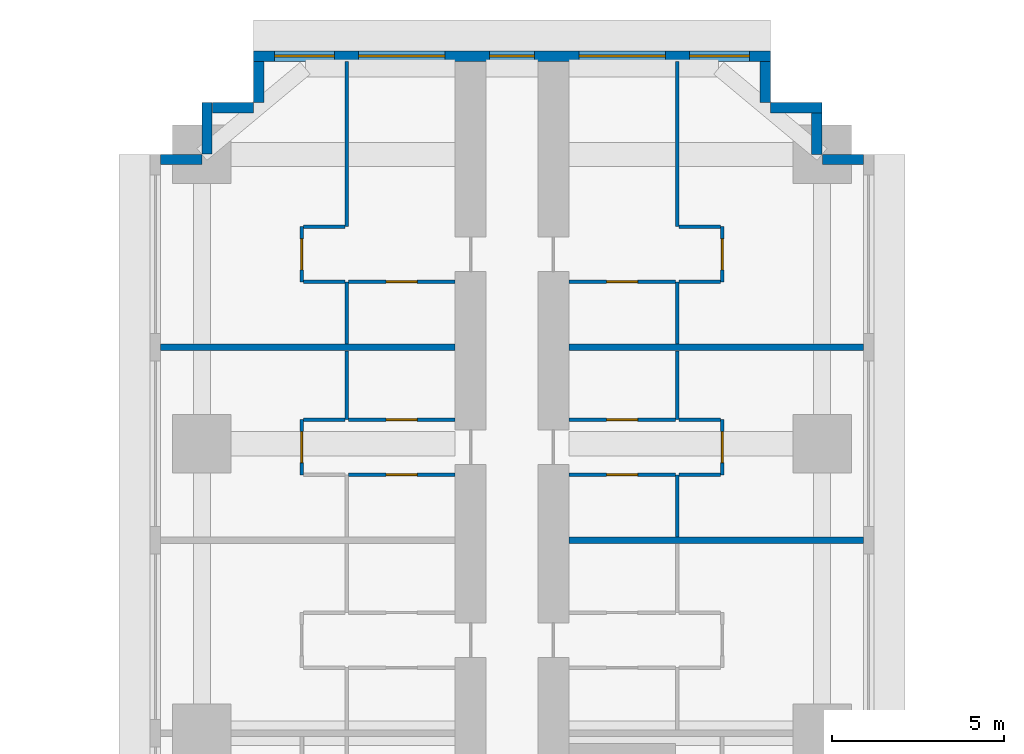
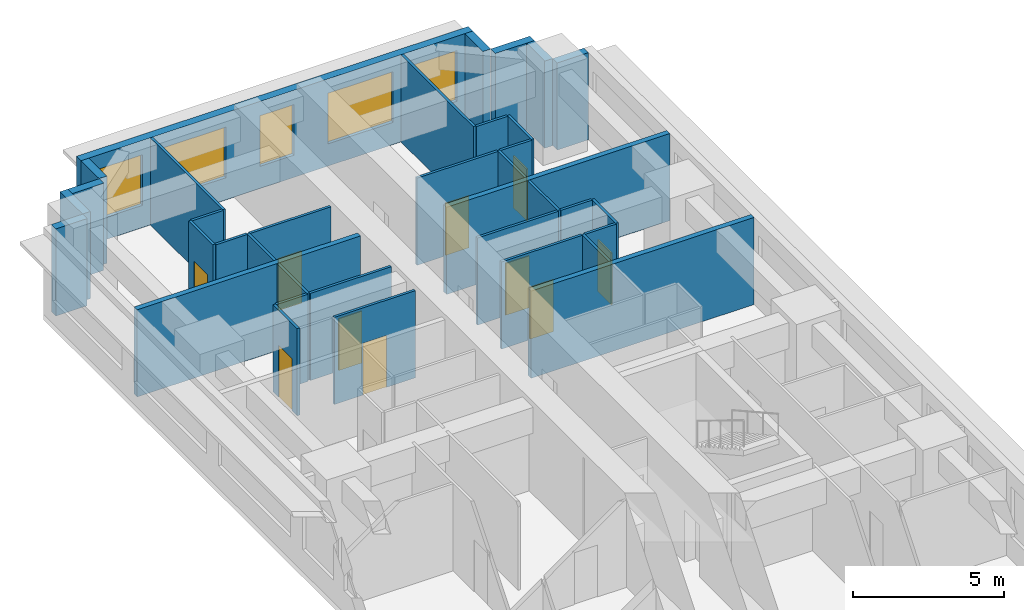
# One storey, part 14 of 16: 36 walls, 10 doors, 5 windows, 15 openings.
"""IFC4 building model written with IfcOpenShell, lengths in metres."""

from ifc_helpers import new_model, si_unit, direction, frame, frame_2d, origin, place, context, subcontext, project, spatial, rectangle, extrude, material, layer, layer_set, type_object, element, fill, save


model = new_model("IFC4")

# Units and contexts
model_context = context("Model", 3, precision=1e-05, world=origin(), true_north=direction((0.0, 1.0)))
body_context = subcontext(model_context, "Body", "Model", "MODEL_VIEW")
ifc_project = project(units=[si_unit("LENGTHUNIT", "METRE"), si_unit("AREAUNIT", "SQUARE_METRE"), si_unit("VOLUMEUNIT", "CUBIC_METRE"), si_unit("PLANEANGLEUNIT", "RADIAN"), si_unit("MASSUNIT", "GRAM", prefix="KILO")], contexts=[model_context])

# Site, building, storey
site_placement = place(None, origin())
site = spatial("IfcSite", under=ifc_project, at=site_placement, CompositionType="ELEMENT")
building_placement = place(site_placement, origin())
building = spatial("IfcBuilding", under=site, at=building_placement, Name="Impinga Residences", CompositionType="ELEMENT")
storey_placement = place(building_placement, frame((0.0, 0.0, 44.75)))
storey = spatial("IfcBuildingStorey", under=building, at=storey_placement, Name="L10", CompositionType="ELEMENT", Elevation=44.75)

# Walls
ifc_material_1 = material(Name="Terracotta rainscreen on blockwork", Category="masonry")
ifc_layer_1 = layer(ifc_material_1, 0.300048828125)
ifc_layer_set_1 = layer_set([ifc_layer_1], Name="EW1 external wall, terracotta rainscreen on blockwork 300")
wall_type_1 = type_object("IfcWallType", Name="EW1 external wall, terracotta rainscreen on blockwork 300", PredefinedType="SOLIDWALL", material=ifc_layer_set_1)
wall_1_placement = place(storey_placement, frame((-10.199951171875, 44.881591796875, 0.0), z_axis=(0.0, 0.0, 1.0), x_axis=(1.0, 0.0, 0.0)))
element("IfcWall", 1, at=wall_1_placement, inside=storey, type_object=wall_type_1, Name="External wall EW1 L10", PredefinedType="SOLIDWALL", context=body_context, shape_type="SweptSolid", body=[
    extrude(rectangle(XDim=1.199951171875, YDim=0.300048828125, at=frame_2d((0.60009765625, 0.0))), origin(), (0.0, 0.0, 1.0), 3.530029296875),
])
wall_2_placement = place(storey_placement, frame((-8.85009765625, 45.03662109375, 0.0), z_axis=(0.0, 0.0, 1.0), x_axis=(0.0, 1.0, 0.0)))
element("IfcWall", 2, at=wall_2_placement, inside=storey, type_object=wall_type_1, Name="External wall EW1 L10", PredefinedType="SOLIDWALL", context=body_context, shape_type="SweptSolid", body=[
    extrude(rectangle(XDim=1.494873046875, YDim=0.300048828125, at=frame_2d((0.74755859375, 0.0))), origin(), (0.0, 0.0, 1.0), 3.530029296875),
])
wall_3_placement = place(storey_placement, frame((-8.699951171875, 46.381591796875, 0.0), z_axis=(0.0, 0.0, 1.0), x_axis=(1.0, 0.0, 0.0)))
element("IfcWall", 3, at=wall_3_placement, inside=storey, type_object=wall_type_1, Name="External wall EW1 L10", PredefinedType="SOLIDWALL", context=body_context, shape_type="SweptSolid", body=[
    extrude(rectangle(XDim=1.199951171875, YDim=0.300048828125, at=frame_2d((0.60009765625, 0.0))), origin(), (0.0, 0.0, 1.0), 3.530029296875),
])
wall_4_placement = place(storey_placement, frame((-7.35009765625, 46.53662109375, 0.0), z_axis=(0.0, 0.0, 1.0), x_axis=(0.0, 1.0, 0.0)))
element("IfcWall", 4, at=wall_4_placement, inside=storey, type_object=wall_type_1, Name="External wall EW1 L10", PredefinedType="SOLIDWALL", context=body_context, shape_type="SweptSolid", body=[
    extrude(rectangle(XDim=1.19482421875, YDim=0.300048828125, at=frame_2d((0.597412109375, 0.0))), origin(), (0.0, 0.0, 1.0), 3.530029296875),
])

# Wall, openings, windows
wall_5_placement = place(storey_placement, frame((-7.5, 47.881591796875, 0.0), z_axis=(0.0, 0.0, 1.0), x_axis=(1.0, 0.0, 0.0)))
wall_5 = element("IfcWall", 5, at=wall_5_placement, inside=storey, type_object=wall_type_1, Name="External wall EW1 L10", PredefinedType="SOLIDWALL", context=body_context, shape_type="SweptSolid", body=[
    extrude(rectangle(XDim=15.0, YDim=0.300048828125, at=frame_2d((7.5, 0.0))), origin(), (0.0, 0.0, 1.0), 3.530029296875),
])
opening_1_placement = place(wall_5_placement, frame((0.60009765625, 0.0, 0.89990234375)))
opening_1 = element("IfcOpeningElement", 6, at=opening_1_placement, cuts=wall_5, Name="Opening W1", PredefinedType="OPENING", context=body_context, shape_type="SweptSolid", body=[
    extrude(rectangle(XDim=1.75, YDim=2.050048828125, at=frame_2d((0.875, 1.02490234375))), frame((0.0, 0.159912109375, 0.0), z_axis=(0.0, -1.0, 0.0), x_axis=(1.0, 0.0, 0.0)), (0.0, 0.0, 1.0), 0.320068359375),
])
opening_2_placement = place(wall_5_placement, frame((3.050048828125, 0.0, 0.89990234375)))
opening_2 = element("IfcOpeningElement", 7, at=opening_2_placement, cuts=wall_5, Name="Opening W2", PredefinedType="OPENING", context=body_context, shape_type="SweptSolid", body=[
    extrude(rectangle(XDim=2.5, YDim=2.050048828125, at=frame_2d((1.25, 1.02490234375))), frame((0.0, 0.159912109375, 0.0), z_axis=(0.0, -1.0, 0.0), x_axis=(1.0, 0.0, 0.0)), (0.0, 0.0, 1.0), 0.320068359375),
])
opening_3_placement = place(wall_5_placement, frame((6.85009765625, 0.0, 0.89990234375)))
opening_3 = element("IfcOpeningElement", 8, at=opening_3_placement, cuts=wall_5, Name="Opening WE1", PredefinedType="OPENING", context=body_context, shape_type="SweptSolid", body=[
    extrude(rectangle(XDim=1.300048828125, YDim=2.050048828125, at=frame_2d((0.64990234375, 1.02490234375))), frame((0.0, 0.159912109375, 0.0), z_axis=(0.0, -1.0, 0.0), x_axis=(1.0, 0.0, 0.0)), (0.0, 0.0, 1.0), 0.320068359375),
])
opening_4_placement = place(wall_5_placement, frame((9.449951171875, 0.0, 0.89990234375)))
opening_4 = element("IfcOpeningElement", 9, at=opening_4_placement, cuts=wall_5, Name="Opening W2", PredefinedType="OPENING", context=body_context, shape_type="SweptSolid", body=[
    extrude(rectangle(XDim=2.5, YDim=2.050048828125, at=frame_2d((1.25, 1.02490234375))), frame((0.0, 0.159912109375, 0.0), z_axis=(0.0, -1.0, 0.0), x_axis=(1.0, 0.0, 0.0)), (0.0, 0.0, 1.0), 0.320068359375),
])
opening_5_placement = place(wall_5_placement, frame((12.64990234375, 0.0, 0.89990234375)))
opening_5 = element("IfcOpeningElement", 10, at=opening_5_placement, cuts=wall_5, Name="Opening W1", PredefinedType="OPENING", context=body_context, shape_type="SweptSolid", body=[
    extrude(rectangle(XDim=1.75, YDim=2.050048828125, at=frame_2d((0.875, 1.02490234375))), frame((0.0, 0.159912109375, 0.0), z_axis=(0.0, -1.0, 0.0), x_axis=(1.0, 0.0, 0.0)), (0.0, 0.0, 1.0), 0.320068359375),
])
ifc_material_2 = material(Name="Aluminium window, clear double glazing", Category="aluminium")
window_type_1 = type_object("IfcWindowType", Name="W1 ribbon window 1750x2050", PartitioningType="SINGLE_PANEL", PredefinedType="WINDOW", material=ifc_material_2)
window_1_placement = place(opening_1_placement, origin())
window_1 = element("IfcWindow", 11, at=window_1_placement, inside=storey, type_object=window_type_1, Name="Window L10", OverallHeight=2.050048828125, OverallWidth=1.75, PartitioningType="SINGLE_PANEL", PredefinedType="WINDOW", context=body_context, shape_type="SweptSolid", body=[
    extrude(rectangle(XDim=1.75, YDim=2.050048828125, at=frame_2d((0.875, 1.02490234375))), frame((0.0, 0.030029296875, 0.0), z_axis=(0.0, -1.0, 0.0), x_axis=(1.0, 0.0, 0.0)), (0.0, 0.0, 1.0), 0.06005859375),
])
fill(opening_1, window_1)
window_2_placement = place(opening_5_placement, origin())
window_2 = element("IfcWindow", 12, at=window_2_placement, inside=storey, type_object=window_type_1, Name="Window L10", OverallHeight=2.050048828125, OverallWidth=1.75, PartitioningType="SINGLE_PANEL", PredefinedType="WINDOW", context=body_context, shape_type="SweptSolid", body=[
    extrude(rectangle(XDim=1.75, YDim=2.050048828125, at=frame_2d((0.875, 1.02490234375))), frame((0.0, 0.030029296875, 0.0), z_axis=(0.0, -1.0, 0.0), x_axis=(1.0, 0.0, 0.0)), (0.0, 0.0, 1.0), 0.06005859375),
])
fill(opening_5, window_2)
window_type_2 = type_object("IfcWindowType", Name="W2 ribbon window 2500x2050", PartitioningType="SINGLE_PANEL", PredefinedType="WINDOW", material=ifc_material_2)
window_3_placement = place(opening_2_placement, origin())
window_3 = element("IfcWindow", 13, at=window_3_placement, inside=storey, type_object=window_type_2, Name="Window L10", OverallHeight=2.050048828125, OverallWidth=2.5, PartitioningType="SINGLE_PANEL", PredefinedType="WINDOW", context=body_context, shape_type="SweptSolid", body=[
    extrude(rectangle(XDim=2.5, YDim=2.050048828125, at=frame_2d((1.25, 1.02490234375))), frame((0.0, 0.030029296875, 0.0), z_axis=(0.0, -1.0, 0.0), x_axis=(1.0, 0.0, 0.0)), (0.0, 0.0, 1.0), 0.06005859375),
])
fill(opening_2, window_3)
window_4_placement = place(opening_4_placement, origin())
window_4 = element("IfcWindow", 14, at=window_4_placement, inside=storey, type_object=window_type_2, Name="Window L10", OverallHeight=2.050048828125, OverallWidth=2.5, PartitioningType="SINGLE_PANEL", PredefinedType="WINDOW", context=body_context, shape_type="SweptSolid", body=[
    extrude(rectangle(XDim=2.5, YDim=2.050048828125, at=frame_2d((1.25, 1.02490234375))), frame((0.0, 0.030029296875, 0.0), z_axis=(0.0, -1.0, 0.0), x_axis=(1.0, 0.0, 0.0)), (0.0, 0.0, 1.0), 0.06005859375),
])
fill(opening_4, window_4)
window_type_3 = type_object("IfcWindowType", Name="WE1 corridor window 1300x2050", PartitioningType="SINGLE_PANEL", PredefinedType="WINDOW", material=ifc_material_2)
window_5_placement = place(opening_3_placement, origin())
window_5 = element("IfcWindow", 15, at=window_5_placement, inside=storey, type_object=window_type_3, Name="Window L10", OverallHeight=2.050048828125, OverallWidth=1.300048828125, PartitioningType="SINGLE_PANEL", PredefinedType="WINDOW", context=body_context, shape_type="SweptSolid", body=[
    extrude(rectangle(XDim=1.300048828125, YDim=2.050048828125, at=frame_2d((0.64990234375, 1.02490234375))), frame((0.0, 0.030029296875, 0.0), z_axis=(0.0, -1.0, 0.0), x_axis=(1.0, 0.0, 0.0)), (0.0, 0.0, 1.0), 0.06005859375),
])
fill(opening_3, window_5)

# Walls
wall_6_placement = place(storey_placement, frame((7.35009765625, 47.7314453125, 0.0), z_axis=(0.0, 0.0, 1.0), x_axis=(0.0, -1.0, 0.0)))
element("IfcWall", 16, at=wall_6_placement, inside=storey, type_object=wall_type_1, Name="External wall EW1 L10", PredefinedType="SOLIDWALL", context=body_context, shape_type="SweptSolid", body=[
    extrude(rectangle(XDim=1.19482421875, YDim=0.300048828125, at=frame_2d((0.597412109375, 0.0))), origin(), (0.0, 0.0, 1.0), 3.530029296875),
])
wall_7_placement = place(storey_placement, frame((7.5, 46.381591796875, 0.0), z_axis=(0.0, 0.0, 1.0), x_axis=(1.0, 0.0, 0.0)))
element("IfcWall", 17, at=wall_7_placement, inside=storey, type_object=wall_type_1, Name="External wall EW1 L10", PredefinedType="SOLIDWALL", context=body_context, shape_type="SweptSolid", body=[
    extrude(rectangle(XDim=1.5, YDim=0.300048828125, at=frame_2d((0.75, 0.0))), origin(), (0.0, 0.0, 1.0), 3.530029296875),
])
wall_8_placement = place(storey_placement, frame((8.85009765625, 46.2314453125, 0.0), z_axis=(0.0, 0.0, 1.0), x_axis=(0.0, -1.0, 0.0)))
element("IfcWall", 18, at=wall_8_placement, inside=storey, type_object=wall_type_1, Name="External wall EW1 L10", PredefinedType="SOLIDWALL", context=body_context, shape_type="SweptSolid", body=[
    extrude(rectangle(XDim=1.199951171875, YDim=0.300048828125, at=frame_2d((0.60009765625, 0.0))), origin(), (0.0, 0.0, 1.0), 3.530029296875),
])
wall_9_placement = place(storey_placement, frame((9.0048828125, 44.881591796875, 0.0), z_axis=(0.0, 0.0, 1.0), x_axis=(1.0, 0.0, 0.0)))
element("IfcWall", 19, at=wall_9_placement, inside=storey, type_object=wall_type_1, Name="External wall EW1 L10", PredefinedType="SOLIDWALL", context=body_context, shape_type="SweptSolid", body=[
    extrude(rectangle(XDim=1.195068359375, YDim=0.300048828125, at=frame_2d((0.59765625, 0.0))), origin(), (0.0, 0.0, 1.0), 3.530029296875),
])
ifc_material_3 = material(Name="Gypsum board on steel studs", Category="steel")
ifc_layer_2 = layer(ifc_material_3, 0.10009765625)
ifc_layer_set_2 = layer_set([ifc_layer_2], Name="Gypsum board on steel studs")
wall_type_2 = type_object("IfcWallType", Name="IP1 partition 100", PredefinedType="PARTITIONING", material=ifc_layer_set_2)
wall_10_placement = place(storey_placement, frame((-4.800048828125, 37.33154296875, 0.0), z_axis=(0.0, 0.0, 1.0), x_axis=(0.0, 1.0, 0.0)))
element("IfcWall", 20, at=wall_10_placement, inside=storey, type_object=wall_type_2, Name="Partition L10-NA4:DIV1", PredefinedType="PARTITIONING", context=body_context, shape_type="SweptSolid", body=[
    extrude(rectangle(XDim=2.0, YDim=0.10009765625, at=frame_2d((1.0, 0.0))), origin(), (0.0, 0.0, 1.0), 3.530029296875),
])

# Wall, opening, door
wall_11_placement = place(storey_placement, frame((-6.10009765625, 35.7314453125, 0.0), z_axis=(0.0, 0.0, 1.0), x_axis=(0.0, 1.0, 0.0)))
wall_11 = element("IfcWall", 21, at=wall_11_placement, inside=storey, type_object=wall_type_2, Name="Partition L10-NA4:STRIP", PredefinedType="PARTITIONING", context=body_context, shape_type="SweptSolid", body=[
    extrude(rectangle(XDim=1.60009765625, YDim=0.10009765625, at=frame_2d((0.800048828125, 0.0))), origin(), (0.0, 0.0, 1.0), 3.530029296875),
])
opening_6_placement = place(wall_11_placement, frame((0.35009765625, 0.0, 0.0)))
opening_6 = element("IfcOpeningElement", 22, at=opening_6_placement, cuts=wall_11, Name="Opening D2", PredefinedType="OPENING", context=body_context, shape_type="SweptSolid", body=[
    extrude(rectangle(XDim=0.89990234375, YDim=2.10009765625, at=frame_2d((0.449951171875, 1.050048828125))), frame((0.0, 0.06005859375, 0.0), z_axis=(0.0, -1.0, 0.0), x_axis=(1.0, 0.0, 0.0)), (0.0, 0.0, 1.0), 0.1201171875),
])
ifc_material_4 = material(Name="Timber door set", Category="wood")
door_type = type_object("IfcDoorType", Name="D2 internal door 900x2100", OperationType="SINGLE_SWING_LEFT", PredefinedType="DOOR", material=ifc_material_4)
door_1_placement = place(opening_6_placement, origin())
door_1 = element("IfcDoor", 23, at=door_1_placement, inside=storey, type_object=door_type, Name="Apartment L10-NA4 room door", OperationType="SINGLE_SWING_LEFT", OverallHeight=2.10009765625, OverallWidth=0.89990234375, PredefinedType="DOOR", context=body_context, shape_type="SweptSolid", body=[
    extrude(rectangle(XDim=0.89990234375, YDim=2.10009765625, at=frame_2d((0.449951171875, 1.050048828125))), frame((0.0, 0.02490234375, 0.0), z_axis=(0.0, -1.0, 0.0), x_axis=(1.0, 0.0, 0.0)), (0.0, 0.0, 1.0), 0.050048828125),
])
fill(opening_6, door_1)

# Wall
wall_12_placement = place(storey_placement, frame((-4.85009765625, 37.33154296875, 0.0), z_axis=(0.0, 0.0, 1.0), x_axis=(-1.0, 0.0, 0.0)))
element("IfcWall", 24, at=wall_12_placement, inside=storey, type_object=wall_type_2, Name="Partition L10-NA4:SE1", PredefinedType="PARTITIONING", context=body_context, shape_type="SweptSolid", body=[
    extrude(rectangle(XDim=1.199951171875, YDim=0.10009765625, at=frame_2d((0.60009765625, 0.0))), origin(), (0.0, 0.0, 1.0), 3.530029296875),
])

# Wall, opening, door
wall_13_placement = place(storey_placement, frame((-1.64990234375, 35.7314453125, 0.0), z_axis=(0.0, 0.0, 1.0), x_axis=(-1.0, 0.0, 0.0)))
wall_13 = element("IfcWall", 25, at=wall_13_placement, inside=storey, type_object=wall_type_2, Name="Partition L10-NA4:IB1", PredefinedType="PARTITIONING", context=body_context, shape_type="SweptSolid", body=[
    extrude(rectangle(XDim=3.10009765625, YDim=0.10009765625, at=frame_2d((1.550048828125, 0.0))), origin(), (0.0, 0.0, 1.0), 3.530029296875),
])
opening_7_placement = place(wall_13_placement, frame((1.10009765625, 0.0, 0.0)))
opening_7 = element("IfcOpeningElement", 26, at=opening_7_placement, cuts=wall_13, Name="Opening D2", PredefinedType="OPENING", context=body_context, shape_type="SweptSolid", body=[
    extrude(rectangle(XDim=0.89990234375, YDim=2.10009765625, at=frame_2d((0.449951171875, 1.050048828125))), frame((0.0, 0.06005859375, 0.0), z_axis=(0.0, -1.0, 0.0), x_axis=(1.0, 0.0, 0.0)), (0.0, 0.0, 1.0), 0.1201171875),
])
door_2_placement = place(opening_7_placement, origin())
door_2 = element("IfcDoor", 27, at=door_2_placement, inside=storey, type_object=door_type, Name="Apartment L10-NA4 bathroom door", OperationType="SINGLE_SWING_LEFT", OverallHeight=2.10009765625, OverallWidth=0.89990234375, PredefinedType="DOOR", context=body_context, shape_type="SweptSolid", body=[
    extrude(rectangle(XDim=0.89990234375, YDim=2.10009765625, at=frame_2d((0.449951171875, 1.050048828125))), frame((0.0, 0.02490234375, 0.0), z_axis=(0.0, -1.0, 0.0), x_axis=(1.0, 0.0, 0.0)), (0.0, 0.0, 1.0), 0.050048828125),
])
fill(opening_7, door_2)

wall_14_placement = place(storey_placement, frame((-1.64990234375, 37.33154296875, 0.0), z_axis=(0.0, 0.0, 1.0), x_axis=(-1.0, 0.0, 0.0)))
wall_14 = element("IfcWall", 28, at=wall_14_placement, inside=storey, type_object=wall_type_2, Name="Partition L10-NA4:IB2", PredefinedType="PARTITIONING", context=body_context, shape_type="SweptSolid", body=[
    extrude(rectangle(XDim=3.10009765625, YDim=0.10009765625, at=frame_2d((1.550048828125, 0.0))), origin(), (0.0, 0.0, 1.0), 3.530029296875),
])
opening_8_placement = place(wall_14_placement, frame((1.10009765625, 0.0, 0.0)))
opening_8 = element("IfcOpeningElement", 29, at=opening_8_placement, cuts=wall_14, Name="Opening D2", PredefinedType="OPENING", context=body_context, shape_type="SweptSolid", body=[
    extrude(rectangle(XDim=0.89990234375, YDim=2.10009765625, at=frame_2d((0.449951171875, 1.050048828125))), frame((0.0, 0.06005859375, 0.0), z_axis=(0.0, -1.0, 0.0), x_axis=(1.0, 0.0, 0.0)), (0.0, 0.0, 1.0), 0.1201171875),
])
door_3_placement = place(opening_8_placement, origin())
door_3 = element("IfcDoor", 30, at=door_3_placement, inside=storey, type_object=door_type, Name="Apartment L10-NA4 WC door", OperationType="SINGLE_SWING_LEFT", OverallHeight=2.10009765625, OverallWidth=0.89990234375, PredefinedType="DOOR", context=body_context, shape_type="SweptSolid", body=[
    extrude(rectangle(XDim=0.89990234375, YDim=2.10009765625, at=frame_2d((0.449951171875, 1.050048828125))), frame((0.0, 0.02490234375, 0.0), z_axis=(0.0, -1.0, 0.0), x_axis=(1.0, 0.0, 0.0)), (0.0, 0.0, 1.0), 0.050048828125),
])
fill(opening_8, door_3)

# Walls
wall_15_placement = place(storey_placement, frame((-4.800048828125, 39.531494140625, 0.0), z_axis=(0.0, 0.0, 1.0), x_axis=(0.0, 1.0, 0.0)))
element("IfcWall", 31, at=wall_15_placement, inside=storey, type_object=wall_type_2, Name="Partition L10-NA5:DIV0", PredefinedType="PARTITIONING", context=body_context, shape_type="SweptSolid", body=[
    extrude(rectangle(XDim=1.800048828125, YDim=0.10009765625, at=frame_2d((0.89990234375, 0.0))), origin(), (0.0, 0.0, 1.0), 3.530029296875),
])
wall_16_placement = place(storey_placement, frame((-4.800048828125, 42.931640625, 0.0), z_axis=(0.0, 0.0, 1.0), x_axis=(0.0, 1.0, 0.0)))
element("IfcWall", 32, at=wall_16_placement, inside=storey, type_object=wall_type_2, Name="Partition L10-NA5:DIV1", PredefinedType="PARTITIONING", context=body_context, shape_type="SweptSolid", body=[
    extrude(rectangle(XDim=4.7998046875, YDim=0.10009765625, at=frame_2d((2.39990234375, 0.0))), origin(), (0.0, 0.0, 1.0), 3.530029296875),
])

# Wall, opening, door
wall_17_placement = place(storey_placement, frame((-6.10009765625, 41.33154296875, 0.0), z_axis=(0.0, 0.0, 1.0), x_axis=(0.0, 1.0, 0.0)))
wall_17 = element("IfcWall", 33, at=wall_17_placement, inside=storey, type_object=wall_type_2, Name="Partition L10-NA5:STRIP", PredefinedType="PARTITIONING", context=body_context, shape_type="SweptSolid", body=[
    extrude(rectangle(XDim=1.60009765625, YDim=0.10009765625, at=frame_2d((0.800048828125, 0.0))), origin(), (0.0, 0.0, 1.0), 3.530029296875),
])
opening_9_placement = place(wall_17_placement, frame((0.35009765625, 0.0, 0.0)))
opening_9 = element("IfcOpeningElement", 34, at=opening_9_placement, cuts=wall_17, Name="Opening D2", PredefinedType="OPENING", context=body_context, shape_type="SweptSolid", body=[
    extrude(rectangle(XDim=0.89990234375, YDim=2.10009765625, at=frame_2d((0.449951171875, 1.050048828125))), frame((0.0, 0.06005859375, 0.0), z_axis=(0.0, -1.0, 0.0), x_axis=(1.0, 0.0, 0.0)), (0.0, 0.0, 1.0), 0.1201171875),
])
door_4_placement = place(opening_9_placement, origin())
door_4 = element("IfcDoor", 35, at=door_4_placement, inside=storey, type_object=door_type, Name="Apartment L10-NA5 room door", OperationType="SINGLE_SWING_LEFT", OverallHeight=2.10009765625, OverallWidth=0.89990234375, PredefinedType="DOOR", context=body_context, shape_type="SweptSolid", body=[
    extrude(rectangle(XDim=0.89990234375, YDim=2.10009765625, at=frame_2d((0.449951171875, 1.050048828125))), frame((0.0, 0.02490234375, 0.0), z_axis=(0.0, -1.0, 0.0), x_axis=(1.0, 0.0, 0.0)), (0.0, 0.0, 1.0), 0.050048828125),
])
fill(opening_9, door_4)

# Walls
for number, where, z_axis, x_axis, name in (
    (36, (-4.85009765625, 41.33154296875, 0.0), (0.0, 0.0, 1.0), (-1.0, 0.0, 0.0), "Partition L10-NA5:SE0"),
    (37, (-4.85009765625, 42.931640625, 0.0), (0.0, 0.0, 1.0), (-1.0, 0.0, 0.0), "Partition L10-NA5:SE1"),
):
    element("IfcWall", number, at=place(storey_placement, frame(where, z_axis=z_axis, x_axis=x_axis)), inside=storey, type_object=wall_type_2, Name=name, PredefinedType="PARTITIONING", context=body_context, shape_type="SweptSolid", body=[
        extrude(rectangle(XDim=1.199951171875, YDim=0.10009765625, at=frame_2d((0.60009765625, 0.0))), origin(), (0.0, 0.0, 1.0), 3.530029296875),
    ])

# Wall, opening, door
wall_18_placement = place(storey_placement, frame((-1.64990234375, 41.33154296875, 0.0), z_axis=(0.0, 0.0, 1.0), x_axis=(-1.0, 0.0, 0.0)))
wall_18 = element("IfcWall", 38, at=wall_18_placement, inside=storey, type_object=wall_type_2, Name="Partition L10-NA5:IB1", PredefinedType="PARTITIONING", context=body_context, shape_type="SweptSolid", body=[
    extrude(rectangle(XDim=3.10009765625, YDim=0.10009765625, at=frame_2d((1.550048828125, 0.0))), origin(), (0.0, 0.0, 1.0), 3.530029296875),
])
opening_10_placement = place(wall_18_placement, frame((1.10009765625, 0.0, 0.0)))
opening_10 = element("IfcOpeningElement", 39, at=opening_10_placement, cuts=wall_18, Name="Opening D2", PredefinedType="OPENING", context=body_context, shape_type="SweptSolid", body=[
    extrude(rectangle(XDim=0.89990234375, YDim=2.10009765625, at=frame_2d((0.449951171875, 1.050048828125))), frame((0.0, 0.06005859375, 0.0), z_axis=(0.0, -1.0, 0.0), x_axis=(1.0, 0.0, 0.0)), (0.0, 0.0, 1.0), 0.1201171875),
])
door_5_placement = place(opening_10_placement, origin())
door_5 = element("IfcDoor", 40, at=door_5_placement, inside=storey, type_object=door_type, Name="Apartment L10-NA5 bathroom door", OperationType="SINGLE_SWING_LEFT", OverallHeight=2.10009765625, OverallWidth=0.89990234375, PredefinedType="DOOR", context=body_context, shape_type="SweptSolid", body=[
    extrude(rectangle(XDim=0.89990234375, YDim=2.10009765625, at=frame_2d((0.449951171875, 1.050048828125))), frame((0.0, 0.02490234375, 0.0), z_axis=(0.0, -1.0, 0.0), x_axis=(1.0, 0.0, 0.0)), (0.0, 0.0, 1.0), 0.050048828125),
])
fill(opening_10, door_5)

# Walls
wall_19_placement = place(storey_placement, frame((4.800048828125, 33.931640625, 0.0), z_axis=(0.0, 0.0, 1.0), x_axis=(0.0, 1.0, 0.0)))
element("IfcWall", 41, at=wall_19_placement, inside=storey, type_object=wall_type_2, Name="Partition L10-NF3:DIV0", PredefinedType="PARTITIONING", context=body_context, shape_type="SweptSolid", body=[
    extrude(rectangle(XDim=1.7998046875, YDim=0.10009765625, at=frame_2d((0.89990234375, 0.0))), origin(), (0.0, 0.0, 1.0), 3.530029296875),
])
wall_20_placement = place(storey_placement, frame((4.800048828125, 37.33154296875, 0.0), z_axis=(0.0, 0.0, 1.0), x_axis=(0.0, 1.0, 0.0)))
element("IfcWall", 42, at=wall_20_placement, inside=storey, type_object=wall_type_2, Name="Partition L10-NF3:DIV1", PredefinedType="PARTITIONING", context=body_context, shape_type="SweptSolid", body=[
    extrude(rectangle(XDim=2.0, YDim=0.10009765625, at=frame_2d((1.0, 0.0))), origin(), (0.0, 0.0, 1.0), 3.530029296875),
])

# Wall, opening, door
wall_21_placement = place(storey_placement, frame((6.10009765625, 35.7314453125, 0.0), z_axis=(0.0, 0.0, 1.0), x_axis=(0.0, 1.0, 0.0)))
wall_21 = element("IfcWall", 43, at=wall_21_placement, inside=storey, type_object=wall_type_2, Name="Partition L10-NF3:STRIP", PredefinedType="PARTITIONING", context=body_context, shape_type="SweptSolid", body=[
    extrude(rectangle(XDim=1.60009765625, YDim=0.10009765625, at=frame_2d((0.800048828125, 0.0))), origin(), (0.0, 0.0, 1.0), 3.530029296875),
])
opening_11_placement = place(wall_21_placement, frame((0.35009765625, 0.0, 0.0)))
opening_11 = element("IfcOpeningElement", 44, at=opening_11_placement, cuts=wall_21, Name="Opening D2", PredefinedType="OPENING", context=body_context, shape_type="SweptSolid", body=[
    extrude(rectangle(XDim=0.89990234375, YDim=2.10009765625, at=frame_2d((0.449951171875, 1.050048828125))), frame((0.0, 0.06005859375, 0.0), z_axis=(0.0, -1.0, 0.0), x_axis=(1.0, 0.0, 0.0)), (0.0, 0.0, 1.0), 0.1201171875),
])
door_6_placement = place(opening_11_placement, origin())
door_6 = element("IfcDoor", 45, at=door_6_placement, inside=storey, type_object=door_type, Name="Apartment L10-NF3 room door", OperationType="SINGLE_SWING_LEFT", OverallHeight=2.10009765625, OverallWidth=0.89990234375, PredefinedType="DOOR", context=body_context, shape_type="SweptSolid", body=[
    extrude(rectangle(XDim=0.89990234375, YDim=2.10009765625, at=frame_2d((0.449951171875, 1.050048828125))), frame((0.0, 0.02490234375, 0.0), z_axis=(0.0, -1.0, 0.0), x_axis=(1.0, 0.0, 0.0)), (0.0, 0.0, 1.0), 0.050048828125),
])
fill(opening_11, door_6)

# Walls
for number, where, z_axis, x_axis, name in (
    (46, (4.85009765625, 35.7314453125, 0.0), (0.0, 0.0, 1.0), (1.0, 0.0, 0.0), "Partition L10-NF3:SE0"),
    (47, (4.85009765625, 37.33154296875, 0.0), (0.0, 0.0, 1.0), (1.0, 0.0, 0.0), "Partition L10-NF3:SE1"),
):
    element("IfcWall", number, at=place(storey_placement, frame(where, z_axis=z_axis, x_axis=x_axis)), inside=storey, type_object=wall_type_2, Name=name, PredefinedType="PARTITIONING", context=body_context, shape_type="SweptSolid", body=[
        extrude(rectangle(XDim=1.199951171875, YDim=0.10009765625, at=frame_2d((0.60009765625, 0.0))), origin(), (0.0, 0.0, 1.0), 3.530029296875),
    ])

# Wall, opening, door
wall_22_placement = place(storey_placement, frame((1.64990234375, 35.7314453125, 0.0), z_axis=(0.0, 0.0, 1.0), x_axis=(1.0, 0.0, 0.0)))
wall_22 = element("IfcWall", 48, at=wall_22_placement, inside=storey, type_object=wall_type_2, Name="Partition L10-NF3:IB1", PredefinedType="PARTITIONING", context=body_context, shape_type="SweptSolid", body=[
    extrude(rectangle(XDim=3.10009765625, YDim=0.10009765625, at=frame_2d((1.550048828125, 0.0))), origin(), (0.0, 0.0, 1.0), 3.530029296875),
])
opening_12_placement = place(wall_22_placement, frame((1.10009765625, 0.0, 0.0)))
opening_12 = element("IfcOpeningElement", 49, at=opening_12_placement, cuts=wall_22, Name="Opening D2", PredefinedType="OPENING", context=body_context, shape_type="SweptSolid", body=[
    extrude(rectangle(XDim=0.89990234375, YDim=2.10009765625, at=frame_2d((0.449951171875, 1.050048828125))), frame((0.0, 0.06005859375, 0.0), z_axis=(0.0, -1.0, 0.0), x_axis=(1.0, 0.0, 0.0)), (0.0, 0.0, 1.0), 0.1201171875),
])
door_7_placement = place(opening_12_placement, origin())
door_7 = element("IfcDoor", 50, at=door_7_placement, inside=storey, type_object=door_type, Name="Apartment L10-NF3 bathroom door", OperationType="SINGLE_SWING_LEFT", OverallHeight=2.10009765625, OverallWidth=0.89990234375, PredefinedType="DOOR", context=body_context, shape_type="SweptSolid", body=[
    extrude(rectangle(XDim=0.89990234375, YDim=2.10009765625, at=frame_2d((0.449951171875, 1.050048828125))), frame((0.0, 0.02490234375, 0.0), z_axis=(0.0, -1.0, 0.0), x_axis=(1.0, 0.0, 0.0)), (0.0, 0.0, 1.0), 0.050048828125),
])
fill(opening_12, door_7)

wall_23_placement = place(storey_placement, frame((1.64990234375, 37.33154296875, 0.0), z_axis=(0.0, 0.0, 1.0), x_axis=(1.0, 0.0, 0.0)))
wall_23 = element("IfcWall", 51, at=wall_23_placement, inside=storey, type_object=wall_type_2, Name="Partition L10-NF3:IB2", PredefinedType="PARTITIONING", context=body_context, shape_type="SweptSolid", body=[
    extrude(rectangle(XDim=3.10009765625, YDim=0.10009765625, at=frame_2d((1.550048828125, 0.0))), origin(), (0.0, 0.0, 1.0), 3.530029296875),
])
opening_13_placement = place(wall_23_placement, frame((1.10009765625, 0.0, 0.0)))
opening_13 = element("IfcOpeningElement", 52, at=opening_13_placement, cuts=wall_23, Name="Opening D2", PredefinedType="OPENING", context=body_context, shape_type="SweptSolid", body=[
    extrude(rectangle(XDim=0.89990234375, YDim=2.10009765625, at=frame_2d((0.449951171875, 1.050048828125))), frame((0.0, 0.06005859375, 0.0), z_axis=(0.0, -1.0, 0.0), x_axis=(1.0, 0.0, 0.0)), (0.0, 0.0, 1.0), 0.1201171875),
])
door_8_placement = place(opening_13_placement, origin())
door_8 = element("IfcDoor", 53, at=door_8_placement, inside=storey, type_object=door_type, Name="Apartment L10-NF3 WC door", OperationType="SINGLE_SWING_LEFT", OverallHeight=2.10009765625, OverallWidth=0.89990234375, PredefinedType="DOOR", context=body_context, shape_type="SweptSolid", body=[
    extrude(rectangle(XDim=0.89990234375, YDim=2.10009765625, at=frame_2d((0.449951171875, 1.050048828125))), frame((0.0, 0.02490234375, 0.0), z_axis=(0.0, -1.0, 0.0), x_axis=(1.0, 0.0, 0.0)), (0.0, 0.0, 1.0), 0.050048828125),
])
fill(opening_13, door_8)

# Walls
wall_24_placement = place(storey_placement, frame((4.800048828125, 39.531494140625, 0.0), z_axis=(0.0, 0.0, 1.0), x_axis=(0.0, 1.0, 0.0)))
element("IfcWall", 54, at=wall_24_placement, inside=storey, type_object=wall_type_2, Name="Partition L10-NF4:DIV0", PredefinedType="PARTITIONING", context=body_context, shape_type="SweptSolid", body=[
    extrude(rectangle(XDim=1.800048828125, YDim=0.10009765625, at=frame_2d((0.89990234375, 0.0))), origin(), (0.0, 0.0, 1.0), 3.530029296875),
])
wall_25_placement = place(storey_placement, frame((4.800048828125, 42.931640625, 0.0), z_axis=(0.0, 0.0, 1.0), x_axis=(0.0, 1.0, 0.0)))
element("IfcWall", 55, at=wall_25_placement, inside=storey, type_object=wall_type_2, Name="Partition L10-NF4:DIV1", PredefinedType="PARTITIONING", context=body_context, shape_type="SweptSolid", body=[
    extrude(rectangle(XDim=4.7998046875, YDim=0.10009765625, at=frame_2d((2.39990234375, 0.0))), origin(), (0.0, 0.0, 1.0), 3.530029296875),
])

# Wall, opening, door
wall_26_placement = place(storey_placement, frame((6.10009765625, 41.33154296875, 0.0), z_axis=(0.0, 0.0, 1.0), x_axis=(0.0, 1.0, 0.0)))
wall_26 = element("IfcWall", 56, at=wall_26_placement, inside=storey, type_object=wall_type_2, Name="Partition L10-NF4:STRIP", PredefinedType="PARTITIONING", context=body_context, shape_type="SweptSolid", body=[
    extrude(rectangle(XDim=1.60009765625, YDim=0.10009765625, at=frame_2d((0.800048828125, 0.0))), origin(), (0.0, 0.0, 1.0), 3.530029296875),
])
opening_14_placement = place(wall_26_placement, frame((0.35009765625, 0.0, 0.0)))
opening_14 = element("IfcOpeningElement", 57, at=opening_14_placement, cuts=wall_26, Name="Opening D2", PredefinedType="OPENING", context=body_context, shape_type="SweptSolid", body=[
    extrude(rectangle(XDim=0.89990234375, YDim=2.10009765625, at=frame_2d((0.449951171875, 1.050048828125))), frame((0.0, 0.06005859375, 0.0), z_axis=(0.0, -1.0, 0.0), x_axis=(1.0, 0.0, 0.0)), (0.0, 0.0, 1.0), 0.1201171875),
])
door_9_placement = place(opening_14_placement, origin())
door_9 = element("IfcDoor", 58, at=door_9_placement, inside=storey, type_object=door_type, Name="Apartment L10-NF4 room door", OperationType="SINGLE_SWING_LEFT", OverallHeight=2.10009765625, OverallWidth=0.89990234375, PredefinedType="DOOR", context=body_context, shape_type="SweptSolid", body=[
    extrude(rectangle(XDim=0.89990234375, YDim=2.10009765625, at=frame_2d((0.449951171875, 1.050048828125))), frame((0.0, 0.02490234375, 0.0), z_axis=(0.0, -1.0, 0.0), x_axis=(1.0, 0.0, 0.0)), (0.0, 0.0, 1.0), 0.050048828125),
])
fill(opening_14, door_9)

# Walls
for number, where, z_axis, x_axis, name in (
    (59, (4.85009765625, 41.33154296875, 0.0), (0.0, 0.0, 1.0), (1.0, 0.0, 0.0), "Partition L10-NF4:SE0"),
    (60, (4.85009765625, 42.931640625, 0.0), (0.0, 0.0, 1.0), (1.0, 0.0, 0.0), "Partition L10-NF4:SE1"),
):
    element("IfcWall", number, at=place(storey_placement, frame(where, z_axis=z_axis, x_axis=x_axis)), inside=storey, type_object=wall_type_2, Name=name, PredefinedType="PARTITIONING", context=body_context, shape_type="SweptSolid", body=[
        extrude(rectangle(XDim=1.199951171875, YDim=0.10009765625, at=frame_2d((0.60009765625, 0.0))), origin(), (0.0, 0.0, 1.0), 3.530029296875),
    ])

# Wall, opening, door
wall_27_placement = place(storey_placement, frame((1.64990234375, 41.33154296875, 0.0), z_axis=(0.0, 0.0, 1.0), x_axis=(1.0, 0.0, 0.0)))
wall_27 = element("IfcWall", 61, at=wall_27_placement, inside=storey, type_object=wall_type_2, Name="Partition L10-NF4:IB1", PredefinedType="PARTITIONING", context=body_context, shape_type="SweptSolid", body=[
    extrude(rectangle(XDim=3.10009765625, YDim=0.10009765625, at=frame_2d((1.550048828125, 0.0))), origin(), (0.0, 0.0, 1.0), 3.530029296875),
])
opening_15_placement = place(wall_27_placement, frame((1.10009765625, 0.0, 0.0)))
opening_15 = element("IfcOpeningElement", 62, at=opening_15_placement, cuts=wall_27, Name="Opening D2", PredefinedType="OPENING", context=body_context, shape_type="SweptSolid", body=[
    extrude(rectangle(XDim=0.89990234375, YDim=2.10009765625, at=frame_2d((0.449951171875, 1.050048828125))), frame((0.0, 0.06005859375, 0.0), z_axis=(0.0, -1.0, 0.0), x_axis=(1.0, 0.0, 0.0)), (0.0, 0.0, 1.0), 0.1201171875),
])
door_10_placement = place(opening_15_placement, origin())
door_10 = element("IfcDoor", 63, at=door_10_placement, inside=storey, type_object=door_type, Name="Apartment L10-NF4 bathroom door", OperationType="SINGLE_SWING_LEFT", OverallHeight=2.10009765625, OverallWidth=0.89990234375, PredefinedType="DOOR", context=body_context, shape_type="SweptSolid", body=[
    extrude(rectangle(XDim=0.89990234375, YDim=2.10009765625, at=frame_2d((0.449951171875, 1.050048828125))), frame((0.0, 0.02490234375, 0.0), z_axis=(0.0, -1.0, 0.0), x_axis=(1.0, 0.0, 0.0)), (0.0, 0.0, 1.0), 0.050048828125),
])
fill(opening_15, door_10)

# Walls
ifc_material_5 = material(Name="Concrete blockwork", Category="masonry")
ifc_layer_3 = layer(ifc_material_5, 0.199951171875)
ifc_layer_set_3 = layer_set([ifc_layer_3], Name="PW1 party wall between apartments 200")
wall_type_3 = type_object("IfcWallType", Name="PW1 party wall between apartments 200", PredefinedType="SOLIDWALL", material=ifc_layer_set_3)
for number, where, z_axis, x_axis, name in (
    (64, (-1.64990234375, 39.431640625, 0.0), (0.0, 0.0, 1.0), (-1.0, 0.0, 0.0), "Party wall between apartments L10-NA4:PARTY"),
    (65, (1.64990234375, 33.83154296875, 0.0), (0.0, 0.0, 1.0), (1.0, 0.0, 0.0), "Party wall between apartments L10-NF2:PARTY"),
    (66, (1.64990234375, 39.431640625, 0.0), (0.0, 0.0, 1.0), (1.0, 0.0, 0.0), "Party wall between apartments L10-NF3:PARTY"),
):
    element("IfcWall", number, at=place(storey_placement, frame(where, z_axis=z_axis, x_axis=x_axis)), inside=storey, type_object=wall_type_3, Name=name, PredefinedType="SOLIDWALL", context=body_context, shape_type="SweptSolid", body=[
        extrude(rectangle(XDim=8.550048828125, YDim=0.199951171875, at=frame_2d((4.27490234375, 0.0))), origin(), (0.0, 0.0, 1.0), 3.530029296875),
    ])

save(model, "model.ifc")
